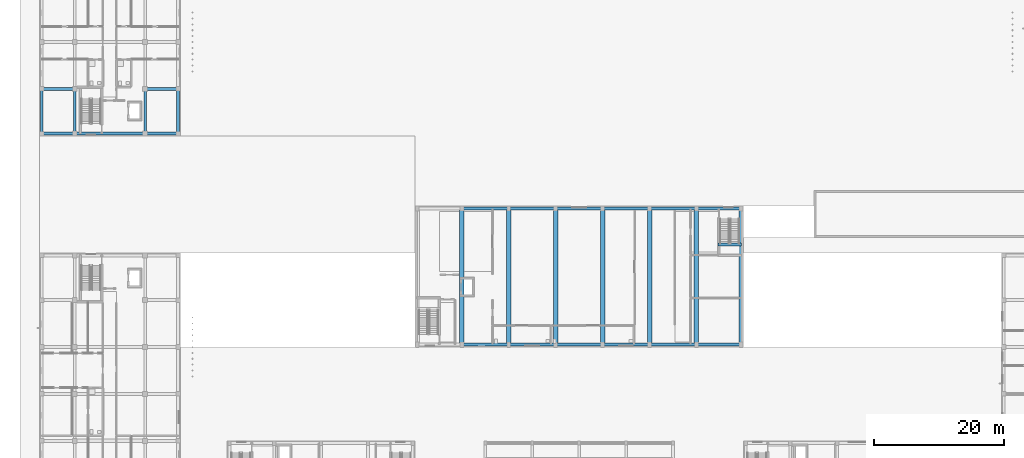
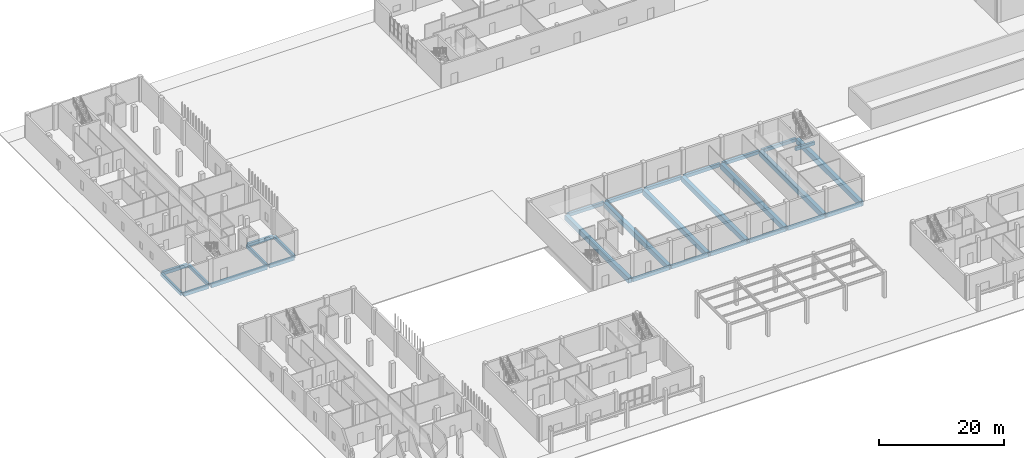
# One storey, part 13 of 85: 29 beams.
"""IFC4 building model written with IfcOpenShell, lengths in metres."""

from ifc_helpers import new_model, si_unit, derived_unit, direction, frame, origin, origin_2d, place, context, subcontext, project, spatial, rectangle, extrude, material, material_profile, profile_set, type_object, element, save


model = new_model("IFC4")

# Units and contexts
model_context = context("Model", 3, precision=1e-05, world=origin(), true_north=direction((0.0, 1.0)))
body_context = subcontext(model_context, "Body", "Model", "MODEL_VIEW")
ifc_project = project(units=[si_unit("LENGTHUNIT", "METRE"), si_unit("AREAUNIT", "SQUARE_METRE"), si_unit("VOLUMEUNIT", "CUBIC_METRE"), si_unit("PLANEANGLEUNIT", "RADIAN"), si_unit("MASSUNIT", "GRAM", prefix="KILO"), derived_unit("THERMALTRANSMITTANCEUNIT", [(si_unit("MASSUNIT", "GRAM", prefix="KILO"), 1), (si_unit("TIMEUNIT", "SECOND"), -3), (si_unit("THERMODYNAMICTEMPERATUREUNIT", "KELVIN"), -1)])], contexts=[model_context])

# Site, building, storey
site_placement = place(None, origin())
site = spatial("IfcSite", under=ifc_project, at=site_placement, CompositionType="ELEMENT")
building_placement = place(site_placement, origin())
building = spatial("IfcBuilding", under=site, at=building_placement, Name="Ochrekiln Boulevard Commons", CompositionType="ELEMENT")
storey_placement = place(building_placement, origin())
storey = spatial("IfcBuildingStorey", under=building, at=storey_placement, Name="L00", CompositionType="ELEMENT", Elevation=0.0)

# Beams
ifc_material_1 = material(Name="Concrete C35/45", Category="concrete")
ifc_material_profile_1 = material_profile(ifc_material_1, rectangle(XDim=0.39990234375, YDim=0.60009765625, at=origin_2d()), Name="RC-BM-400x600")
ifc_profile_set_1 = profile_set([ifc_material_profile_1], Name="Concrete C35/45")
beam_type_1 = type_object("IfcBeamType", Name="BM-RC-400x600", PredefinedType="BEAM", material=ifc_profile_set_1)
for number, where, z_axis, x_axis, name in (
    (1, (0.35009765625, 68.9599609375, -0.580078125), (0.0, 1.0, 0.0), (-1.0, 0.0, 0.0), "Block A L00 Beam B-4060 Y23"),
    (2, (5.39990234375, 68.9599609375, -0.580078125), (0.0, 1.0, 0.0), (-1.0, 0.0, 0.0), "Block A L00 Beam B-4060 Y30"),
    (3, (16.199951171875, 68.9599609375, -0.580078125), (0.0, 1.0, 0.0), (-1.0, 0.0, 0.0), "Block A L00 Beam B-4060 Y37"),
    (4, (21.25, 68.9599609375, -0.580078125), (0.0, 1.0, 0.0), (-1.0, 0.0, 0.0), "Block A L00 Beam B-4060 Y44"),
):
    element("IfcBeam", number, at=place(storey_placement, frame(where, z_axis=z_axis, x_axis=x_axis)), inside=storey, type_object=beam_type_1, Name=name, PredefinedType="BEAM", context=body_context, shape_type="SweptSolid", body=[
        extrude(rectangle(XDim=0.39990234375, YDim=0.60009765625, at=origin_2d()), origin(), (0.0, 0.0, 1.0), 6.429931640625),
    ])
beam_1_placement = place(storey_placement, frame((104.1201171875, 51.72998046875, 1.93994140625), z_axis=(1.0, 0.0, 0.0), x_axis=(0.0, 1.0, 0.0)))
element("IfcBeam", 5, at=beam_1_placement, inside=storey, type_object=beam_type_1, Name="Stair ST-H2 L00 Half-Landing Support Beam B-4060", PredefinedType="BEAM", context=body_context, shape_type="SweptSolid", body=[
    extrude(rectangle(XDim=0.39990234375, YDim=0.60009765625, at=origin_2d()), origin(), (0.0, 0.0, 1.0), 3.559814453125),
])
ifc_material_profile_2 = material_profile(ifc_material_1, rectangle(XDim=0.449951171875, YDim=0.64990234375, at=origin_2d()), Name="RC-BM-450x650")
ifc_profile_set_2 = profile_set([ifc_material_profile_2], Name="Concrete C35/45")
beam_type_2 = type_object("IfcBeamType", Name="BM-RC-450x650", PredefinedType="BEAM", material=ifc_profile_set_2)
beam_2_placement = place(storey_placement, frame((0.56005859375, 68.75, -0.60498046875), z_axis=(1.0, 0.0, 0.0), x_axis=(0.0, 1.0, 0.0)))
element("IfcBeam", 6, at=beam_2_placement, inside=storey, type_object=beam_type_2, Name="Block A L00 Beam B-4565 X1", PredefinedType="BEAM", context=body_context, shape_type="SweptSolid", body=[
    extrude(rectangle(XDim=0.449951171875, YDim=0.64990234375, at=origin_2d()), origin(), (0.0, 0.0, 1.0), 4.6298828125),
])
beam_3_placement = place(storey_placement, frame((16.409912109375, 68.75, -0.60498046875), z_axis=(1.0, 0.0, 0.0), x_axis=(0.0, 1.0, 0.0)))
element("IfcBeam", 7, at=beam_3_placement, inside=storey, type_object=beam_type_2, Name="Block A L00 Beam B-4565 X3", PredefinedType="BEAM", context=body_context, shape_type="SweptSolid", body=[
    extrude(rectangle(XDim=0.449951171875, YDim=0.64990234375, at=origin_2d()), origin(), (0.0, 0.0, 1.0), 4.630126953125),
])
beam_4_placement = place(storey_placement, frame((0.56005859375, 75.60009765625, -0.60498046875), z_axis=(1.0, 0.0, 0.0), x_axis=(0.0, 1.0, 0.0)))
element("IfcBeam", 8, at=beam_4_placement, inside=storey, type_object=beam_type_2, Name="Block A L00 Beam B-4565 X4", PredefinedType="BEAM", context=body_context, shape_type="SweptSolid", body=[
    extrude(rectangle(XDim=0.449951171875, YDim=0.64990234375, at=origin_2d()), origin(), (0.0, 0.0, 1.0), 4.6298828125),
])
beam_5_placement = place(storey_placement, frame((16.409912109375, 75.60009765625, -0.60498046875), z_axis=(1.0, 0.0, 0.0), x_axis=(0.0, 1.0, 0.0)))
element("IfcBeam", 9, at=beam_5_placement, inside=storey, type_object=beam_type_2, Name="Block A L00 Beam B-4565 X5", PredefinedType="BEAM", context=body_context, shape_type="SweptSolid", body=[
    extrude(rectangle(XDim=0.449951171875, YDim=0.64990234375, at=origin_2d()), origin(), (0.0, 0.0, 1.0), 4.630126953125),
])
for number, where, z_axis, x_axis, name in (
    (10, (65.010009765625, 36.35009765625, -0.64501953125), (1.0, 0.0, 0.0), (0.0, 1.0, 0.0), "Community Hall L00 Beam B-4565 X2"),
    (11, (72.2099609375, 36.35009765625, -0.64501953125), (1.0, 0.0, 0.0), (0.0, 1.0, 0.0), "Community Hall L00 Beam B-4565 X3"),
    (12, (79.409912109375, 36.35009765625, -0.64501953125), (1.0, 0.0, 0.0), (0.0, 1.0, 0.0), "Community Hall L00 Beam B-4565 X4"),
):
    element("IfcBeam", number, at=place(storey_placement, frame(where, z_axis=z_axis, x_axis=x_axis)), inside=storey, type_object=beam_type_2, Name=name, PredefinedType="BEAM", context=body_context, shape_type="SweptSolid", body=[
        extrude(rectangle(XDim=0.449951171875, YDim=0.64990234375, at=origin_2d()), origin(), (0.0, 0.0, 1.0), 6.780029296875),
    ])
beam_6_placement = place(storey_placement, frame((86.610107421875, 36.35009765625, -0.64501953125), z_axis=(1.0, 0.0, 0.0), x_axis=(0.0, 1.0, 0.0)))
element("IfcBeam", 13, at=beam_6_placement, inside=storey, type_object=beam_type_2, Name="Community Hall L00 Beam B-4565 X5", PredefinedType="BEAM", context=body_context, shape_type="SweptSolid", body=[
    extrude(rectangle(XDim=0.449951171875, YDim=0.64990234375, at=origin_2d()), origin(), (0.0, 0.0, 1.0), 6.77978515625),
])
beam_7_placement = place(storey_placement, frame((93.81005859375, 36.35009765625, -0.64501953125), z_axis=(1.0, 0.0, 0.0), x_axis=(0.0, 1.0, 0.0)))
element("IfcBeam", 14, at=beam_7_placement, inside=storey, type_object=beam_type_2, Name="Community Hall L00 Beam B-4565 X6", PredefinedType="BEAM", context=body_context, shape_type="SweptSolid", body=[
    extrude(rectangle(XDim=0.449951171875, YDim=0.64990234375, at=origin_2d()), origin(), (0.0, 0.0, 1.0), 6.780029296875),
])
beam_8_placement = place(storey_placement, frame((101.010009765625, 36.35009765625, -0.64501953125), z_axis=(1.0, 0.0, 0.0), x_axis=(0.0, 1.0, 0.0)))
element("IfcBeam", 15, at=beam_8_placement, inside=storey, type_object=beam_type_2, Name="Community Hall L00 Beam B-4565 X7", PredefinedType="BEAM", context=body_context, shape_type="SweptSolid", body=[
    extrude(rectangle(XDim=0.449951171875, YDim=0.64990234375, at=origin_2d()), origin(), (0.0, 0.0, 1.0), 6.429931640625),
])
for number, where, z_axis, x_axis, name in (
    (16, (65.010009765625, 57.25, -0.64501953125), (1.0, 0.0, 0.0), (0.0, 1.0, 0.0), "Community Hall L00 Beam B-4565 X9"),
    (17, (72.2099609375, 57.25, -0.64501953125), (1.0, 0.0, 0.0), (0.0, 1.0, 0.0), "Community Hall L00 Beam B-4565 X10"),
    (18, (79.409912109375, 57.25, -0.64501953125), (1.0, 0.0, 0.0), (0.0, 1.0, 0.0), "Community Hall L00 Beam B-4565 X11"),
):
    element("IfcBeam", number, at=place(storey_placement, frame(where, z_axis=z_axis, x_axis=x_axis)), inside=storey, type_object=beam_type_2, Name=name, PredefinedType="BEAM", context=body_context, shape_type="SweptSolid", body=[
        extrude(rectangle(XDim=0.449951171875, YDim=0.64990234375, at=origin_2d()), origin(), (0.0, 0.0, 1.0), 6.780029296875),
    ])
beam_9_placement = place(storey_placement, frame((86.610107421875, 57.25, -0.64501953125), z_axis=(1.0, 0.0, 0.0), x_axis=(0.0, 1.0, 0.0)))
element("IfcBeam", 19, at=beam_9_placement, inside=storey, type_object=beam_type_2, Name="Community Hall L00 Beam B-4565 X12", PredefinedType="BEAM", context=body_context, shape_type="SweptSolid", body=[
    extrude(rectangle(XDim=0.449951171875, YDim=0.64990234375, at=origin_2d()), origin(), (0.0, 0.0, 1.0), 6.77978515625),
])
beam_10_placement = place(storey_placement, frame((93.81005859375, 57.25, -0.64501953125), z_axis=(1.0, 0.0, 0.0), x_axis=(0.0, 1.0, 0.0)))
element("IfcBeam", 20, at=beam_10_placement, inside=storey, type_object=beam_type_2, Name="Community Hall L00 Beam B-4565 X13", PredefinedType="BEAM", context=body_context, shape_type="SweptSolid", body=[
    extrude(rectangle(XDim=0.449951171875, YDim=0.64990234375, at=origin_2d()), origin(), (0.0, 0.0, 1.0), 6.780029296875),
])
beam_11_placement = place(storey_placement, frame((101.010009765625, 57.25, -0.64501953125), z_axis=(1.0, 0.0, 0.0), x_axis=(0.0, 1.0, 0.0)))
element("IfcBeam", 21, at=beam_11_placement, inside=storey, type_object=beam_type_2, Name="Community Hall L00 Beam B-4565 X14", PredefinedType="BEAM", context=body_context, shape_type="SweptSolid", body=[
    extrude(rectangle(XDim=0.449951171875, YDim=0.64990234375, at=origin_2d()), origin(), (0.0, 0.0, 1.0), 6.429931640625),
])
ifc_material_2 = material(Name="Concrete C40/50", Category="concrete")
ifc_material_profile_3 = material_profile(ifc_material_2, rectangle(XDim=0.5, YDim=0.699951171875, at=origin_2d()), Name="RC-BM-500x700")
ifc_profile_set_3 = profile_set([ifc_material_profile_3], Name="Concrete C40/50")
beam_type_3 = type_object("IfcBeamType", Name="BM-RC-500x700", PredefinedType="BEAM", material=ifc_profile_set_3)
beam_12_placement = place(storey_placement, frame((5.610107421875, 68.75, -0.6298828125), z_axis=(1.0, 0.0, 0.0), x_axis=(0.0, 1.0, 0.0)))
element("IfcBeam", 22, at=beam_12_placement, inside=storey, type_object=beam_type_3, Name="Block A L00 Beam B-5070 X2", PredefinedType="BEAM", context=body_context, shape_type="SweptSolid", body=[
    extrude(rectangle(XDim=0.5, YDim=0.699951171875, at=origin_2d()), origin(), (0.0, 0.0, 1.0), 10.3798828125),
])
ifc_material_profile_4 = material_profile(ifc_material_2, rectangle(XDim=0.699951171875, YDim=1.0, at=origin_2d()), Name="RC-TRG-700x1000")
ifc_profile_set_4 = profile_set([ifc_material_profile_4], Name="Concrete C40/50")
beam_type_4 = type_object("IfcBeamType", Name="BM-TRG-700x1000", PredefinedType="BEAM", material=ifc_profile_set_4)
for number, where, z_axis, x_axis, name in (
    (23, (64.800048828125, 36.56005859375, -0.820068359375), (0.0, 1.0, 0.0), (-1.0, 0.0, 0.0), "Community Hall L00 Beam TG-02 Y16"),
    (24, (72.0, 36.56005859375, -0.820068359375), (0.0, 1.0, 0.0), (-1.0, 0.0, 0.0), "Community Hall L00 Beam TG-02 Y17"),
    (25, (79.199951171875, 36.56005859375, -0.820068359375), (0.0, 1.0, 0.0), (-1.0, 0.0, 0.0), "Community Hall L00 Beam TG-02 Y18"),
    (26, (86.39990234375, 36.56005859375, -0.820068359375), (0.0, 1.0, 0.0), (-1.0, 0.0, 0.0), "Community Hall L00 Beam TG-02 Y19"),
    (27, (93.60009765625, 36.56005859375, -0.820068359375), (0.0, 1.0, 0.0), (-1.0, 0.0, 0.0), "Community Hall L00 Beam TG-02 Y20"),
    (28, (100.800048828125, 36.56005859375, -0.820068359375), (0.0, 1.0, 0.0), (-1.0, 0.0, 0.0), "Community Hall L00 Beam TG-02 Y21"),
    (29, (107.64990234375, 36.56005859375, -0.820068359375), (0.0, 1.0, 0.0), (-1.0, 0.0, 0.0), "Community Hall L00 Beam TG-02 Y22"),
):
    element("IfcBeam", number, at=place(storey_placement, frame(where, z_axis=z_axis, x_axis=x_axis)), inside=storey, type_object=beam_type_4, Name=name, PredefinedType="BEAM", context=body_context, shape_type="SweptSolid", body=[
        extrude(rectangle(XDim=0.699951171875, YDim=1.0, at=origin_2d()), origin(), (0.0, 0.0, 1.0), 20.47998046875),
    ])

save(model, "model.ifc")
